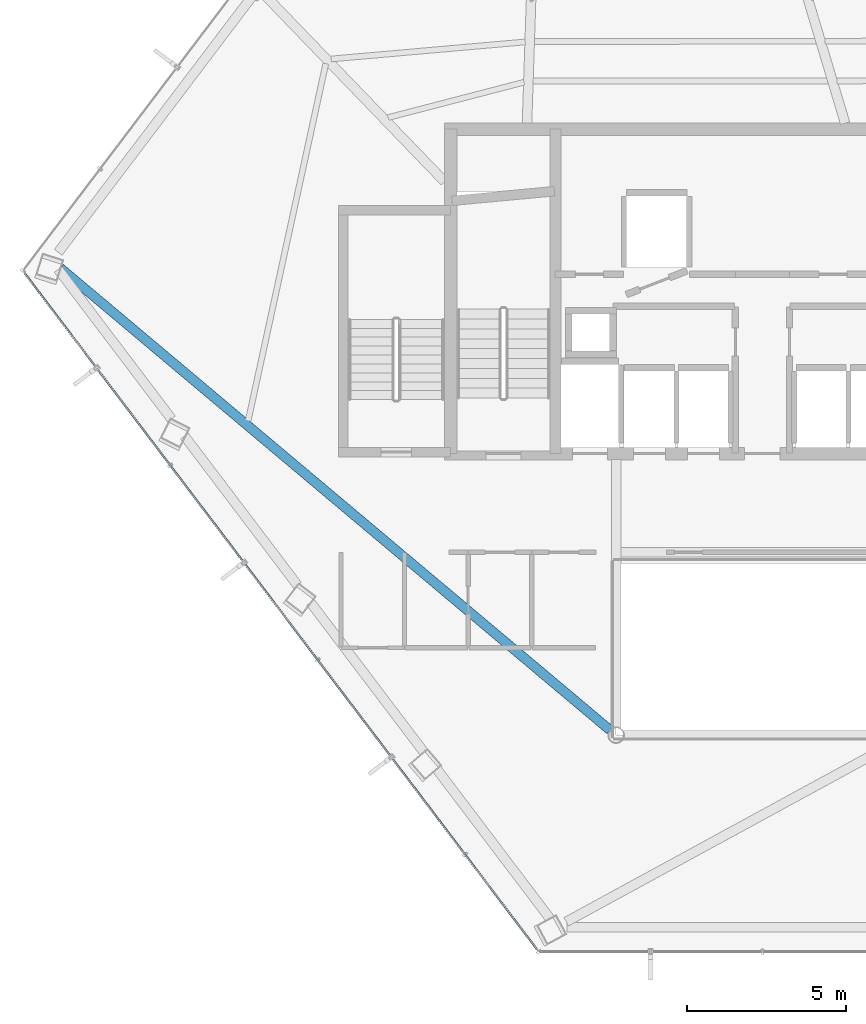
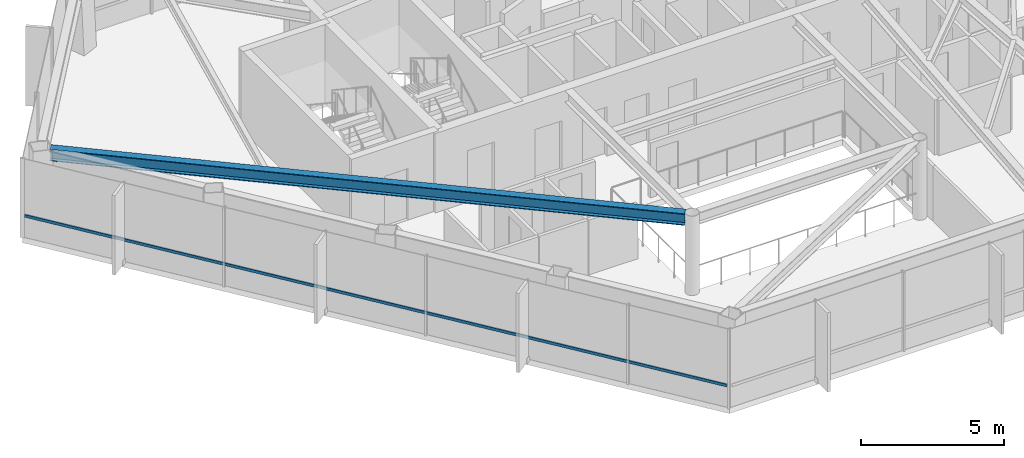
# One storey, part 4 of 28: 1 beam, 1 member, 1 element without a shape of its own.
"""IFC4 building model written with IfcOpenShell, lengths in metres."""

from ifc_helpers import new_model, si_unit, direction, frame, origin, origin_2d, place, context, subcontext, project, spatial, hollow_rectangle, i_section, extrude, material, layer, layer_set, material_profile, profile_set, type_object, element, aggregate, save


model = new_model("IFC4")

# Units and contexts
model_context = context("Model", 3, precision=1e-05, world=origin(), true_north=direction((0.0, 1.0)))
body_context = subcontext(model_context, "Body", "Model", "MODEL_VIEW")
ifc_project = project(units=[si_unit("LENGTHUNIT", "METRE"), si_unit("AREAUNIT", "SQUARE_METRE"), si_unit("VOLUMEUNIT", "CUBIC_METRE"), si_unit("PLANEANGLEUNIT", "RADIAN"), si_unit("MASSUNIT", "GRAM", prefix="KILO")], contexts=[model_context])

# Site, building, storey
site_placement = place(None, origin())
site = spatial("IfcSite", under=ifc_project, at=site_placement, CompositionType="ELEMENT")
building_placement = place(site_placement, origin())
building = spatial("IfcBuilding", under=site, at=building_placement, Name="Zarrinselat Tower", CompositionType="ELEMENT")
storey_placement = place(building_placement, frame((0.0, 0.0, 190.739990234375)))
storey = spatial("IfcBuildingStorey", under=building, at=storey_placement, Name="L47", CompositionType="ELEMENT", Elevation=190.739990234375)

# Beam
ifc_material_1 = material(Name="Steel S355J2", Category="steel")
ifc_material_profile_1 = material_profile(ifc_material_1, i_section(OverallWidth=0.300048828125, OverallDepth=0.5, WebThickness=0.014404296875, FlangeThickness=0.028076171875, at=origin_2d()), Name="HEB 500")
ifc_profile_set_1 = profile_set([ifc_material_profile_1], Name="Steel S355J2")
beam_type = type_object("IfcBeamType", Name="BM-HEB500", PredefinedType="BEAM", material=ifc_profile_set_1)
beam_placement = place(storey_placement, frame((16.329345703125, 39.08349609375, 3.139892578125), z_axis=(0.765528194799, -0.643402349209, 0.0), x_axis=(0.643402349209, 0.765528194799, 0.0)))
element("IfcBeam", 1, at=beam_placement, inside=storey, type_object=beam_type, Name="L47 Radial Primary Girder RG06", PredefinedType="BEAM", context=body_context, shape_type="SweptSolid", body=[
    extrude(i_section(OverallWidth=0.300048828125, OverallDepth=0.5, WebThickness=0.014404296875, FlangeThickness=0.028076171875, at=origin_2d()), origin(), (0.0, 0.0, 1.0), 22.57177734375),
])

# Curtain wall, member
ifc_material_2 = material(Name="Extruded Aluminium Alloy EN AW-6063 T6", Category="aluminium")
ifc_layer = layer(ifc_material_2, 0.175048828125)
ifc_layer_set = layer_set([ifc_layer], Name="Extruded Aluminium Alloy EN AW-6063 T6")
curtain_wall_type = type_object("IfcCurtainWallType", Name="CWS-HTL", PredefinedType="NOTDEFINED", material=ifc_layer_set)
curtain_wall_placement = place(storey_placement, origin())
curtain_wall = element("IfcCurtainWall", 2, at=curtain_wall_placement, inside=storey, type_object=curtain_wall_type, Name="L47 Unitised Curtain Wall CW-L47-E03", PredefinedType="NOTDEFINED")
ifc_material_3 = material(Name="Extruded Aluminium Alloy EN AW-6063 T6", Category="aluminium")
ifc_material_profile_2 = material_profile(ifc_material_3, hollow_rectangle(XDim=0.06005859375, YDim=0.1201171875, WallThickness=0.00390625, at=origin_2d()), Name="RHS 120x60x4")
ifc_profile_set_2 = profile_set([ifc_material_profile_2], Name="Extruded Aluminium Alloy EN AW-6063 T6")
member_type = type_object("IfcMemberType", Name="MEM-CW-TRN2", PredefinedType="USERDEFINED", material=ifc_profile_set_2)
member_placement = place(storey_placement, frame((15.201416015625, 38.93115234375, 0.949951171875), z_axis=(0.603856102656, -0.797093349166, 0.0), x_axis=(0.797093349166, 0.603856102656, 0.0)))
member = element("IfcMember", 3, at=member_placement, type_object=member_type, Name="CW-L47-E03 Transom 1", ObjectType="TRANSOM", PredefinedType="USERDEFINED", context=body_context, shape_type="SweptSolid", body=[
    extrude(hollow_rectangle(XDim=0.06005859375, YDim=0.1201171875, WallThickness=0.00390625, at=origin_2d()), origin(), (0.0, 0.0, 1.0), 26.684814453125),
])
aggregate(curtain_wall, [member])

save(model, "model.ifc")
